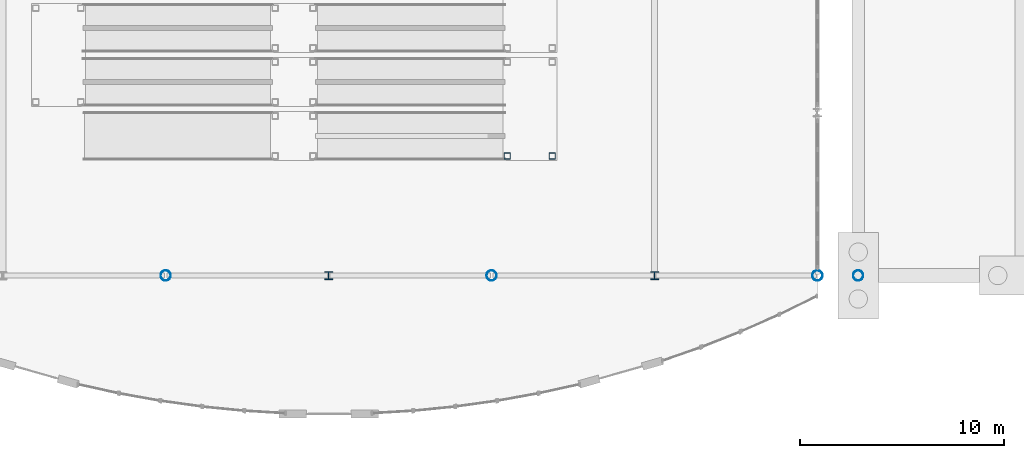
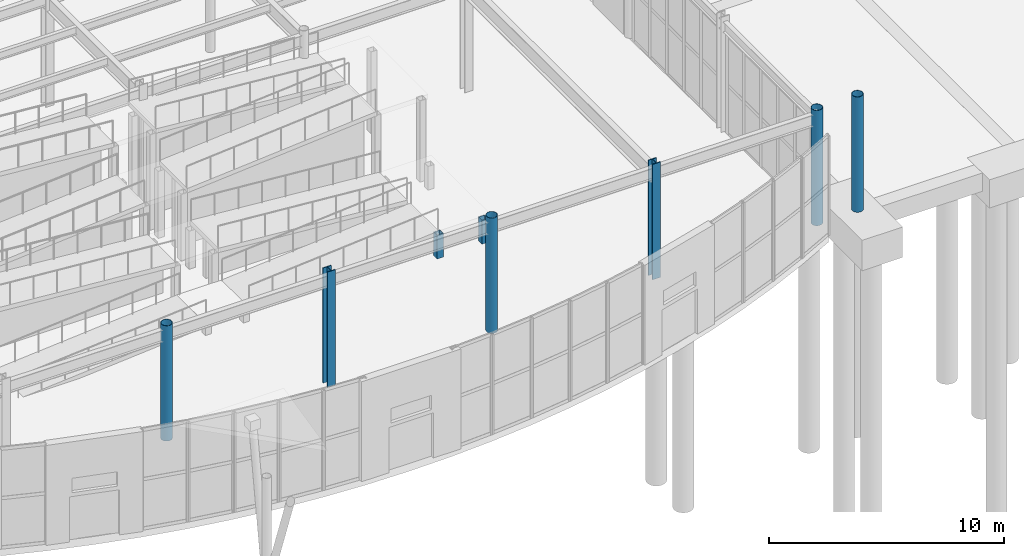
# One storey, part 9 of 82: 8 columns.
"""IFC4 building model written with IfcOpenShell, lengths in metres."""

from ifc_helpers import new_model, si_unit, direction, frame, origin, origin_2d, place, context, subcontext, project, spatial, hollow_rectangle, hollow_circle, i_section, extrude, material, material_profile, profile_set, type_object, element, save


model = new_model("IFC4")

# Units and contexts
model_context = context("Model", 3, precision=1e-05, world=origin(), true_north=direction((0.0, 1.0)))
body_context = subcontext(model_context, "Body", "Model", "MODEL_VIEW")
ifc_project = project(units=[si_unit("LENGTHUNIT", "METRE"), si_unit("AREAUNIT", "SQUARE_METRE"), si_unit("VOLUMEUNIT", "CUBIC_METRE"), si_unit("PLANEANGLEUNIT", "RADIAN"), si_unit("MASSUNIT", "GRAM", prefix="KILO")], contexts=[model_context])

# Site, building, storey
site_placement = place(None, origin())
site = spatial("IfcSite", under=ifc_project, at=site_placement, CompositionType="ELEMENT")
building_placement = place(site_placement, origin())
building = spatial("IfcBuilding", under=site, at=building_placement, Name="Drelvath Fold Interchange", CompositionType="ELEMENT")
storey_placement = place(building_placement, origin())
storey = spatial("IfcBuildingStorey", under=building, at=storey_placement, Name="L00", CompositionType="ELEMENT", Elevation=0.0)

# Columns
ifc_material_1 = material(Name="Steel ASTM A500 Grade C", Category="steel")
ifc_material_profile_1 = material_profile(ifc_material_1, hollow_circle(Radius=0.25390625, WallThickness=0.014892578125, at=origin_2d()), Name="HSS20.000X0.625")
ifc_profile_set_1 = profile_set([ifc_material_profile_1], Name="Steel ASTM A500 Grade C")
column_type_1 = type_object("IfcColumnType", Name="COL-CFT508", PredefinedType="COLUMN", material=ifc_profile_set_1)
for number, where, z_axis, x_axis, name in (
    (1, (68.0, 27.0, 0.0), (0.0, 0.0, 1.0), (1.0, 0.0, 0.0), "L00 column (68,27)"),
    (2, (84.0, 27.0, 0.0), (0.0, 0.0, 1.0), (1.0, 0.0, 0.0), "L00 column (84,27)"),
    (3, (100.0, 27.0, 0.0), (0.0, 0.0, 1.0), (1.0, 0.0, 0.0), "L00 column (100,27)"),
    (4, (102.0, 27.0, 0.0), (0.0, 0.0, 1.0), (1.0, 0.0, 0.0), "L00 column (102,27)"),
):
    element("IfcColumn", number, at=place(storey_placement, frame(where, z_axis=z_axis, x_axis=x_axis)), inside=storey, type_object=column_type_1, Name=name, PredefinedType="COLUMN", context=body_context, shape_type="SweptSolid", body=[
        extrude(hollow_circle(Radius=0.25390625, WallThickness=0.014892578125, at=origin_2d()), origin(), (0.0, 0.0, 1.0), 6.0),
    ])
ifc_material_profile_2 = material_profile(ifc_material_1, hollow_rectangle(XDim=0.304931640625, YDim=0.304931640625, WallThickness=0.01171875, at=origin_2d()), Name="HSS12X12X1/2")
ifc_profile_set_2 = profile_set([ifc_material_profile_2], Name="Steel ASTM A500 Grade C")
column_type_2 = type_object("IfcColumnType", Name="COL-HSS305", PredefinedType="COLUMN", material=ifc_profile_set_2)
for number, where, z_axis, x_axis, name in (
    (5, (84.77001953125, 32.8701171875, 0.0), (0.0, 0.0, 1.0), (1.0, 0.0, 0.0), "Promenade ramp landing 2 corner post 1"),
    (6, (86.97998046875, 32.8701171875, 0.0), (0.0, 0.0, 1.0), (1.0, 0.0, 0.0), "Promenade ramp landing 2 corner post 2"),
):
    element("IfcColumn", number, at=place(storey_placement, frame(where, z_axis=z_axis, x_axis=x_axis)), inside=storey, type_object=column_type_2, Name=name, PredefinedType="COLUMN", context=body_context, shape_type="SweptSolid", body=[
        extrude(hollow_rectangle(XDim=0.304931640625, YDim=0.304931640625, WallThickness=0.01171875, at=origin_2d()), origin(), (0.0, 0.0, 1.0), 1.25),
    ])
ifc_material_2 = material(Name="Steel ASTM A992 Grade 50", Category="steel")
ifc_material_profile_3 = material_profile(ifc_material_2, i_section(OverallWidth=0.39892578125, OverallDepth=0.39306640625, WebThickness=0.022705078125, FlangeThickness=0.03662109375, at=origin_2d()), Name="W14X193")
ifc_profile_set_3 = profile_set([ifc_material_profile_3], Name="Steel ASTM A992 Grade 50")
column_type_3 = type_object("IfcColumnType", Name="COL-W14X193", PredefinedType="COLUMN", material=ifc_profile_set_3)
for number, where, z_axis, x_axis, name in (
    (7, (76.0, 27.0, 0.0), (0.0, 0.0, 1.0), (1.0, 0.0, 0.0), "L00 column (76,27)"),
    (8, (92.0, 27.0, 0.0), (0.0, 0.0, 1.0), (1.0, 0.0, 0.0), "L00 column (92,27)"),
):
    element("IfcColumn", number, at=place(storey_placement, frame(where, z_axis=z_axis, x_axis=x_axis)), inside=storey, type_object=column_type_3, Name=name, PredefinedType="COLUMN", context=body_context, shape_type="SweptSolid", body=[
        extrude(i_section(OverallWidth=0.39892578125, OverallDepth=0.39306640625, WebThickness=0.022705078125, FlangeThickness=0.03662109375, at=origin_2d()), origin(), (0.0, 0.0, 1.0), 6.0),
    ])

save(model, "model.ifc")
